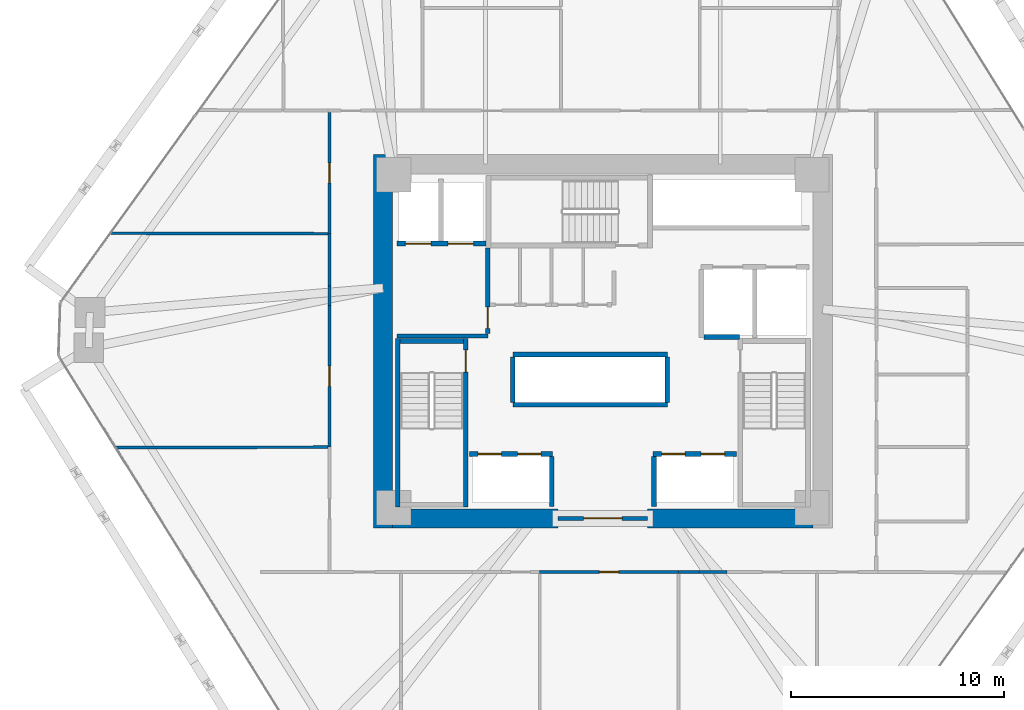
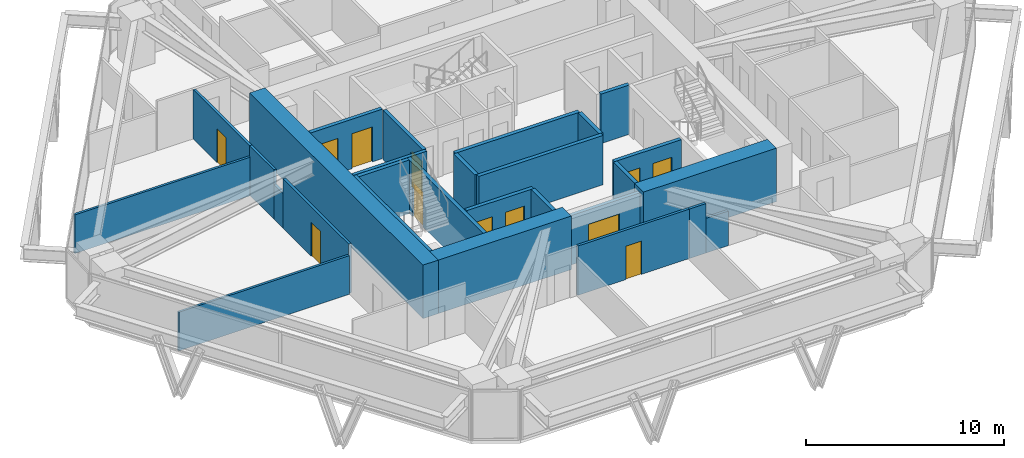
# One storey, part 11 of 15: 28 walls, 12 doors, 12 openings.
"""IFC4 building model written with IfcOpenShell, lengths in metres."""

from ifc_helpers import new_model, si_unit, direction, frame, frame_2d, origin, place, context, subcontext, project, spatial, rectangle, extrude, source, transform, mapped, material, layer, layer_set, type_object, type_shapes, element, fill, save


model = new_model("IFC4")

# Units and contexts
model_context = context("Model", 3, precision=1e-05, world=origin(), true_north=direction((0.0, 1.0)))
body_context = subcontext(model_context, "Body", "Model", "MODEL_VIEW")
ifc_project = project(units=[si_unit("LENGTHUNIT", "METRE"), si_unit("AREAUNIT", "SQUARE_METRE"), si_unit("VOLUMEUNIT", "CUBIC_METRE"), si_unit("PLANEANGLEUNIT", "RADIAN"), si_unit("MASSUNIT", "GRAM", prefix="KILO")], contexts=[model_context])

# Site, building, storey
site_placement = place(None, origin())
site = spatial("IfcSite", under=ifc_project, at=site_placement, CompositionType="ELEMENT")
building_placement = place(site_placement, origin())
building = spatial("IfcBuilding", under=site, at=building_placement, Name="Durnholm Broadcast Tower", CompositionType="ELEMENT")
storey_placement = place(building_placement, frame((0.0, 0.0, 42.300048828125)))
storey = spatial("IfcBuildingStorey", under=building, at=storey_placement, Name="L09", CompositionType="ELEMENT", Elevation=42.300048828125)

# Walls
ifc_material_1 = material(Name="Concrete C70/85", Category="concrete")
ifc_layer_1 = layer(ifc_material_1, 0.89990234375)
ifc_layer_set_1 = layer_set([ifc_layer_1], Name="Concrete C70/85")
wall_type_1 = type_object("IfcWallType", Name="WALL-CW-900", PredefinedType="SHEAR", material=ifc_layer_set_1)
wall_1_placement = place(storey_placement, frame((-10.300048828125, -8.75, 0.0), z_axis=(0.0, 0.0, 1.0), x_axis=(0.0, 1.0, 0.0)))
element("IfcWall", 1, at=wall_1_placement, inside=storey, type_object=wall_type_1, Name="L09 central core shear wall CW-WEST", PredefinedType="SHEAR", context=body_context, shape_type="SweptSolid", body=[
    extrude(rectangle(XDim=17.5, YDim=0.89990234375, at=frame_2d((8.75, 0.0))), origin(), (0.0, 0.0, 1.0), 3.300048828125),
])
for number, where, z_axis, x_axis, name in (
    (2, (-9.85009765625, -8.300048828125, 0.0), (0.0, 0.0, 1.0), (1.0, 0.0, 0.0), "L09 central core shear wall CW-S1"),
    (3, (2.10009765625, -8.300048828125, 0.0), (0.0, 0.0, 1.0), (1.0, 0.0, 0.0), "L09 central core shear wall CW-S2"),
):
    element("IfcWall", number, at=place(storey_placement, frame(where, z_axis=z_axis, x_axis=x_axis)), inside=storey, type_object=wall_type_1, Name=name, PredefinedType="SHEAR", context=body_context, shape_type="SweptSolid", body=[
        extrude(rectangle(XDim=7.75, YDim=0.89990234375, at=frame_2d((3.875, 0.0))), origin(), (0.0, 0.0, 1.0), 3.300048828125),
    ])

# Wall, opening, door
ifc_material_2 = material(Name="Fire-Rated Gypsum Shaftwall", Category="concrete")
ifc_layer_2 = layer(ifc_material_2, 0.199951171875)
ifc_layer_set_2 = layer_set([ifc_layer_2], Name="Fire-Rated Gypsum Shaftwall")
wall_type_2 = type_object("IfcWallType", Name="WALL-LOB-200", PredefinedType="SOLIDWALL", material=ifc_layer_set_2)
wall_2_placement = place(storey_placement, frame((-2.10009765625, -8.300048828125, 0.0), z_axis=(0.0, 0.0, 1.0), x_axis=(1.0, 0.0, 0.0)))
wall_2 = element("IfcWall", 4, at=wall_2_placement, inside=storey, type_object=wall_type_2, Name="L09 south core lobby fire screen", PredefinedType="SOLIDWALL", context=body_context, shape_type="SweptSolid", body=[
    extrude(rectangle(XDim=4.2001953125, YDim=0.199951171875, at=frame_2d((2.10009765625, 0.0))), origin(), (0.0, 0.0, 1.0), 3.044921875),
])
opening_1_placement = place(wall_2_placement, frame((1.199951171875, 0.0, 0.0)))
opening_1 = element("IfcOpeningElement", 5, at=opening_1_placement, cuts=wall_2, Name="Opening DP-60", PredefinedType="OPENING", context=body_context, shape_type="SweptSolid", body=[
    extrude(rectangle(XDim=1.800048828125, YDim=2.14990234375, at=frame_2d((0.89990234375, 1.074951171875))), frame((0.0, 0.10986328125, 0.0), z_axis=(0.0, -1.0, 0.0), x_axis=(1.0, 0.0, 0.0)), (0.0, 0.0, 1.0), 0.219970703125),
])
ifc_material_3 = material(Name="Fire-Rated Double Corridor Door", Category="steel")
ifc_layer_3 = layer(ifc_material_3, 0.050048828125)
ifc_layer_set_3 = layer_set([ifc_layer_3], Name="Fire-Rated Double Corridor Door")
door_type_1 = type_object("IfcDoorType", Name="DOOR-PAIR-FD60", OperationType="DOUBLE_DOOR_SINGLE_SWING", PredefinedType="DOOR", material=ifc_layer_set_3)
shared_shape_1 = source(origin(), body_context, "Body", "SweptSolid", [
    extrude(rectangle(XDim=1.800048828125, YDim=2.14990234375, at=frame_2d((0.89990234375, 1.074951171875))), frame((0.0, 0.02490234375, 0.0), z_axis=(0.0, -1.0, 0.0), x_axis=(1.0, 0.0, 0.0)), (0.0, 0.0, 1.0), 0.050048828125),
])
type_shapes(door_type_1, [shared_shape_1])
door_1_placement = place(opening_1_placement, origin())
door_1 = element("IfcDoor", 6, at=door_1_placement, inside=storey, type_object=door_type_1, Name="L09 south core lobby double fire door", OperationType="DOUBLE_DOOR_SINGLE_SWING", OverallHeight=2.14990234375, OverallWidth=1.800048828125, PredefinedType="DOOR", context=body_context, shape_type="MappedRepresentation", body=[
    mapped(shared_shape_1, transform((0.0, 0.0, 0.0), x_axis=(1.0, 0.0, 0.0), y_axis=(0.0, 1.0, 0.0), z_axis=(0.0, 0.0, 1.0), scale=1.0)),
])
fill(opening_1, door_1)

# Wall
wall_3_placement = place(storey_placement, frame((-9.64990234375, 0.25, 0.0), z_axis=(0.0, 0.0, 1.0), x_axis=(1.0, 0.0, 0.0)))
element("IfcWall", 7, at=wall_3_placement, inside=storey, type_object=wall_type_2, Name="L09 Fire Service Access Elevator lobby south wall", PredefinedType="SOLIDWALL", context=body_context, shape_type="SweptSolid", body=[
    extrude(rectangle(XDim=4.27001953125, YDim=0.199951171875, at=frame_2d((2.135009765625, 0.0))), origin(), (0.0, 0.0, 1.0), 3.044921875),
])

# Wall, opening, door
wall_4_placement = place(storey_placement, frame((-5.39990234375, 0.35400390625, 0.0), z_axis=(0.0, 0.0, 1.0), x_axis=(0.0, 1.0, 0.0)))
wall_4 = element("IfcWall", 8, at=wall_4_placement, inside=storey, type_object=wall_type_2, Name="L09 Fire Service Access Elevator lobby east fire wall", PredefinedType="SOLIDWALL", context=body_context, shape_type="SweptSolid", body=[
    extrude(rectangle(XDim=4.02587890625, YDim=0.199951171875, at=frame_2d((2.012939453125, 0.0))), origin(), (0.0, 0.0, 1.0), 3.044921875),
])
opening_2_placement = place(wall_4_placement, frame((0.24609375, 0.0, 0.0)))
opening_2 = element("IfcOpeningElement", 9, at=opening_2_placement, cuts=wall_4, Name="Opening DL-60R", PredefinedType="OPENING", context=body_context, shape_type="SweptSolid", body=[
    extrude(rectangle(XDim=1.0, YDim=2.14990234375, at=frame_2d((0.5, 1.074951171875))), frame((0.0, 0.10986328125, 0.0), z_axis=(0.0, -1.0, 0.0), x_axis=(1.0, 0.0, 0.0)), (0.0, 0.0, 1.0), 0.219970703125),
])
ifc_material_4 = material(Name="Fire-Rated Timber/Steel Door", Category="steel")
ifc_layer_4 = layer(ifc_material_4, 0.050048828125)
ifc_layer_set_4 = layer_set([ifc_layer_4], Name="Fire-Rated Timber/Steel Door")
door_type_2 = type_object("IfcDoorType", Name="DOOR-LOB-FD60-R", OperationType="NOTDEFINED", PredefinedType="DOOR", material=ifc_layer_set_4)
shared_shape_2 = source(origin(), body_context, "Body", "SweptSolid", [
    extrude(rectangle(XDim=1.0, YDim=2.14990234375, at=frame_2d((0.5, 1.074951171875))), frame((0.0, 0.02490234375, 0.0), z_axis=(0.0, -1.0, 0.0), x_axis=(1.0, 0.0, 0.0)), (0.0, 0.0, 1.0), 0.050048828125),
])
type_shapes(door_type_2, [shared_shape_2])
door_2_placement = place(opening_2_placement, origin())
door_2 = element("IfcDoor", 10, at=door_2_placement, inside=storey, type_object=door_type_2, Name="L09 Fire Service Access Elevator lobby smoke door", OperationType="SINGLE_SWING_RIGHT", OverallHeight=2.14990234375, OverallWidth=1.0, PredefinedType="DOOR", context=body_context, shape_type="MappedRepresentation", body=[
    mapped(shared_shape_2, transform((0.0, 0.0, 0.0), x_axis=(1.0, 0.0, 0.0), y_axis=(0.0, 1.0, 0.0), z_axis=(0.0, 0.0, 1.0), scale=1.0)),
])
fill(opening_2, door_2)

# Walls
ifc_material_5 = material(Name="Gypsum Metal Stud Partition", Category="concrete")
ifc_layer_5 = layer(ifc_material_5, 0.135009765625)
ifc_layer_set_5 = layer_set([ifc_layer_5], Name="Gypsum Metal Stud Partition")
wall_type_3 = type_object("IfcWallType", Name="WALL-PART-135", PredefinedType="PARTITIONING", material=ifc_layer_set_5)
wall_5_placement = place(storey_placement, frame((-22.824951171875, -4.981201171875, 0.0), z_axis=(0.0, 0.0, 1.0), x_axis=(0.999997767357, 0.002113121234, 0.0)))
element("IfcWall", 11, at=wall_5_placement, inside=storey, type_object=wall_type_3, Name="L09 room dividing partition 21.22", PredefinedType="PARTITIONING", context=body_context, shape_type="SweptSolid", body=[
    extrude(rectangle(XDim=9.93603515625, YDim=0.135009765625, at=frame_2d((4.968017578125, 0.0))), origin(), (0.0, 0.0, 1.0), 2.3798828125),
])
wall_6_placement = place(storey_placement, frame((-23.081787109375, 5.0634765625, 0.0), z_axis=(0.0, 0.0, 1.0), x_axis=(0.999997411176, -0.002275443211, 0.0)))
element("IfcWall", 12, at=wall_6_placement, inside=storey, type_object=wall_type_3, Name="L09 room dividing partition 22.23", PredefinedType="PARTITIONING", context=body_context, shape_type="SweptSolid", body=[
    extrude(rectangle(XDim=10.19287109375, YDim=0.135009765625, at=frame_2d((5.096435546875, 0.0))), origin(), (0.0, 0.0, 1.0), 2.3798828125),
])

# Wall, opening, door
ifc_material_6 = material(Name="Acoustic Gypsum Stud Partition", Category="concrete")
ifc_layer_6 = layer(ifc_material_6, 0.14990234375)
ifc_layer_set_6 = layer_set([ifc_layer_6], Name="Acoustic Gypsum Stud Partition")
wall_type_4 = type_object("IfcWallType", Name="WALL-PART-150", PredefinedType="PARTITIONING", material=ifc_layer_set_6)
wall_7_placement = place(storey_placement, frame((-2.9599609375, -10.81005859375, 0.0), z_axis=(0.0, 0.0, 1.0), x_axis=(1.0, 0.0, 0.0)))
wall_7 = element("IfcWall", 13, at=wall_7_placement, inside=storey, type_object=wall_type_4, Name="L09 Tape Store corridor partition", PredefinedType="PARTITIONING", context=body_context, shape_type="SweptSolid", body=[
    extrude(rectangle(XDim=6.5, YDim=0.14990234375, at=frame_2d((3.25, 0.0))), origin(), (0.0, 0.0, 1.0), 3.044921875),
])
opening_3_placement = place(wall_7_placement, frame((2.800048828125, 0.0, 0.0)))
opening_3 = element("IfcOpeningElement", 14, at=opening_3_placement, cuts=wall_7, Name="Opening DC-60L", PredefinedType="OPENING", context=body_context, shape_type="SweptSolid", body=[
    extrude(rectangle(XDim=0.89990234375, YDim=2.050048828125, at=frame_2d((0.449951171875, 1.02490234375))), frame((0.0, 0.0849609375, 0.0), z_axis=(0.0, -1.0, 0.0), x_axis=(1.0, 0.0, 0.0)), (0.0, 0.0, 1.0), 0.169921875),
])
ifc_material_7 = material(Name="Fire-Rated Core Service Door", Category="steel")
ifc_layer_7 = layer(ifc_material_7, 0.050048828125)
ifc_layer_set_7 = layer_set([ifc_layer_7], Name="Fire-Rated Core Service Door")
door_type_3 = type_object("IfcDoorType", Name="DOOR-CORE-FD60-L", OperationType="NOTDEFINED", PredefinedType="DOOR", material=ifc_layer_set_7)
shared_shape_3 = source(origin(), body_context, "Body", "SweptSolid", [
    extrude(rectangle(XDim=0.89990234375, YDim=2.050048828125, at=frame_2d((0.449951171875, 1.02490234375))), frame((0.0, 0.02490234375, 0.0), z_axis=(0.0, -1.0, 0.0), x_axis=(1.0, 0.0, 0.0)), (0.0, 0.0, 1.0), 0.050048828125),
])
type_shapes(door_type_3, [shared_shape_3])
door_3_placement = place(opening_3_placement, origin())
door_3 = element("IfcDoor", 15, at=door_3_placement, inside=storey, type_object=door_type_3, Name="L09 Tape Store entrance door", OperationType="SINGLE_SWING_LEFT", OverallHeight=2.050048828125, OverallWidth=0.89990234375, PredefinedType="DOOR", context=body_context, shape_type="MappedRepresentation", body=[
    mapped(shared_shape_3, transform((0.0, 0.0, 0.0), x_axis=(1.0, 0.0, 0.0), y_axis=(0.0, 1.0, 0.0), z_axis=(0.0, 0.0, 1.0), scale=1.0)),
])
fill(opening_3, door_3)

# Walls
wall_8_placement = place(storey_placement, frame((3.5400390625, -10.81005859375, 0.0), z_axis=(0.0, 0.0, 1.0), x_axis=(1.0, 0.0, 0.0)))
element("IfcWall", 16, at=wall_8_placement, inside=storey, type_object=wall_type_4, Name="L09 Video Edit Office 1 corridor partition", PredefinedType="PARTITIONING", context=body_context, shape_type="SweptSolid", body=[
    extrude(rectangle(XDim=0.959228515625, YDim=0.14990234375, at=frame_2d((0.4794921875, 0.0))), origin(), (0.0, 0.0, 1.0), 3.044921875),
])
wall_9_placement = place(storey_placement, frame((4.499267578125, -10.81005859375, 0.0), z_axis=(0.0, 0.0, 1.0), x_axis=(1.0, 0.0, 0.0)))
element("IfcWall", 17, at=wall_9_placement, inside=storey, type_object=wall_type_4, Name="L09 Video Edit Office 1 corridor partition", PredefinedType="PARTITIONING", context=body_context, shape_type="SweptSolid", body=[
    extrude(rectangle(XDim=1.318115234375, YDim=0.14990234375, at=frame_2d((0.6591796875, 0.0))), origin(), (0.0, 0.0, 1.0), 2.130126953125),
])
wall_10_placement = place(storey_placement, frame((-12.81005859375, 5.0400390625, 0.0), z_axis=(0.0, 0.0, 1.0), x_axis=(0.0, -1.0, 0.0)))
element("IfcWall", 18, at=wall_10_placement, inside=storey, type_object=wall_type_4, Name="L09 Audio Mix Office corridor partition", PredefinedType="PARTITIONING", context=body_context, shape_type="SweptSolid", body=[
    extrude(rectangle(XDim=2.44775390625, YDim=0.14990234375, at=frame_2d((1.223876953125, 0.0))), origin(), (0.0, 0.0, 1.0), 3.044921875),
])

# Wall, opening, door
wall_11_placement = place(storey_placement, frame((-12.81005859375, 1.682373046875, 0.0), z_axis=(0.0, 0.0, 1.0), x_axis=(0.0, -1.0, 0.0)))
wall_11 = element("IfcWall", 19, at=wall_11_placement, inside=storey, type_object=wall_type_4, Name="L09 Audio Mix Office corridor partition", PredefinedType="PARTITIONING", context=body_context, shape_type="SweptSolid", body=[
    extrude(rectangle(XDim=6.642333984375, YDim=0.14990234375, at=frame_2d((3.3212890625, 0.0))), origin(), (0.0, 0.0, 1.0), 3.044921875),
])
opening_4_placement = place(wall_11_placement, frame((2.84619140625, 0.0, 0.0)))
opening_4 = element("IfcOpeningElement", 20, at=opening_4_placement, cuts=wall_11, Name="Opening DR-95R", PredefinedType="OPENING", context=body_context, shape_type="SweptSolid", body=[
    extrude(rectangle(XDim=0.949951171875, YDim=2.10009765625, at=frame_2d((0.47509765625, 1.050048828125))), frame((0.0, 0.0849609375, 0.0), z_axis=(0.0, -1.0, 0.0), x_axis=(1.0, 0.0, 0.0)), (0.0, 0.0, 1.0), 0.169921875),
])
ifc_material_8 = material(Name="Acoustic Oak Veneer Timber Door", Category="wood")
ifc_layer_8 = layer(ifc_material_8, 0.050048828125)
ifc_layer_set_8 = layer_set([ifc_layer_8], Name="Acoustic Oak Veneer Timber Door")
door_type_4 = type_object("IfcDoorType", Name="DOOR-RM-950R", OperationType="NOTDEFINED", PredefinedType="DOOR", material=ifc_layer_set_8)
shared_shape_4 = source(origin(), body_context, "Body", "SweptSolid", [
    extrude(rectangle(XDim=0.949951171875, YDim=2.10009765625, at=frame_2d((0.47509765625, 1.050048828125))), frame((0.0, 0.02490234375, 0.0), z_axis=(0.0, -1.0, 0.0), x_axis=(1.0, 0.0, 0.0)), (0.0, 0.0, 1.0), 0.050048828125),
])
type_shapes(door_type_4, [shared_shape_4])
door_4_placement = place(opening_4_placement, origin())
door_4 = element("IfcDoor", 21, at=door_4_placement, inside=storey, type_object=door_type_4, Name="L09 Audio Mix Office entrance door", OperationType="SINGLE_SWING_RIGHT", OverallHeight=2.10009765625, OverallWidth=0.949951171875, PredefinedType="DOOR", context=body_context, shape_type="MappedRepresentation", body=[
    mapped(shared_shape_4, transform((0.0, 0.0, 0.0), x_axis=(1.0, 0.0, 0.0), y_axis=(0.0, 1.0, 0.0), z_axis=(0.0, 0.0, 1.0), scale=1.0)),
])
fill(opening_4, door_4)

# Wall
wall_12_placement = place(storey_placement, frame((-12.81005859375, 2.59228515625, 0.0), z_axis=(0.0, 0.0, 1.0), x_axis=(0.0, -1.0, 0.0)))
element("IfcWall", 22, at=wall_12_placement, inside=storey, type_object=wall_type_4, Name="L09 Audio Mix Office corridor partition", PredefinedType="PARTITIONING", context=body_context, shape_type="SweptSolid", body=[
    extrude(rectangle(XDim=0.909912109375, YDim=0.14990234375, at=frame_2d((0.455078125, 0.0))), origin(), (0.0, 0.0, 1.0), 2.130126953125),
])

# Wall, opening, door
wall_13_placement = place(storey_placement, frame((-12.81005859375, 10.73095703125, 0.0), z_axis=(0.0, 0.0, 1.0), x_axis=(0.0, -1.0, 0.0)))
wall_13 = element("IfcWall", 23, at=wall_13_placement, inside=storey, type_object=wall_type_4, Name="L09 Senior Editor Office corridor partition", PredefinedType="PARTITIONING", context=body_context, shape_type="SweptSolid", body=[
    extrude(rectangle(XDim=5.69091796875, YDim=0.14990234375, at=frame_2d((2.845458984375, 0.0))), origin(), (0.0, 0.0, 1.0), 3.044921875),
])
opening_5_placement = place(wall_13_placement, frame((2.385498046875, 0.0, 0.0)))
opening_5 = element("IfcOpeningElement", 24, at=opening_5_placement, cuts=wall_13, Name="Opening DR-92L", PredefinedType="OPENING", context=body_context, shape_type="SweptSolid", body=[
    extrude(rectangle(XDim=0.919921875, YDim=2.10009765625, at=frame_2d((0.4599609375, 1.050048828125))), frame((0.0, 0.0849609375, 0.0), z_axis=(0.0, -1.0, 0.0), x_axis=(1.0, 0.0, 0.0)), (0.0, 0.0, 1.0), 0.169921875),
])
ifc_material_9 = material(Name="Oak Veneer Office Door", Category="wood")
ifc_layer_9 = layer(ifc_material_9, 0.050048828125)
ifc_layer_set_9 = layer_set([ifc_layer_9], Name="Oak Veneer Office Door")
door_type_5 = type_object("IfcDoorType", Name="DOOR-RM-920L", OperationType="NOTDEFINED", PredefinedType="DOOR", material=ifc_layer_set_9)
shared_shape_5 = source(origin(), body_context, "Body", "SweptSolid", [
    extrude(rectangle(XDim=0.919921875, YDim=2.10009765625, at=frame_2d((0.4599609375, 1.050048828125))), frame((0.0, 0.02490234375, 0.0), z_axis=(0.0, -1.0, 0.0), x_axis=(1.0, 0.0, 0.0)), (0.0, 0.0, 1.0), 0.050048828125),
])
type_shapes(door_type_5, [shared_shape_5])
door_5_placement = place(opening_5_placement, origin())
door_5 = element("IfcDoor", 25, at=door_5_placement, inside=storey, type_object=door_type_5, Name="L09 Senior Editor Office entrance door", OperationType="SINGLE_SWING_LEFT", OverallHeight=2.10009765625, OverallWidth=0.919921875, PredefinedType="DOOR", context=body_context, shape_type="MappedRepresentation", body=[
    mapped(shared_shape_5, transform((0.0, 0.0, 0.0), x_axis=(1.0, 0.0, 0.0), y_axis=(0.0, 1.0, 0.0), z_axis=(0.0, 0.0, 1.0), scale=1.0)),
])
fill(opening_5, door_5)

# Wall, openings, doors
ifc_material_10 = material(Name="Concrete Blockwork C30/37", Category="masonry")
ifc_layer_10 = layer(ifc_material_10, 0.219970703125)
ifc_layer_set_10 = layer_set([ifc_layer_10], Name="Concrete Blockwork C30/37")
wall_type_5 = type_object("IfcWallType", Name="WALL-SHAFT-220", PredefinedType="SOLIDWALL", material=ifc_layer_set_10)
wall_14_placement = place(storey_placement, frame((-9.64990234375, 4.580078125, 0.0), z_axis=(0.0, 0.0, 1.0), x_axis=(1.0, 0.0, 0.0)))
wall_14 = element("IfcWall", 26, at=wall_14_placement, inside=storey, type_object=wall_type_5, Name="L09 FSAE hoistway front fire wall", PredefinedType="SOLIDWALL", context=body_context, shape_type="SweptSolid", body=[
    extrude(rectangle(XDim=4.1748046875, YDim=0.219970703125, at=frame_2d((2.08740234375, 0.0))), origin(), (0.0, 0.0, 1.0), 3.044921875),
])
opening_6_placement = place(wall_14_placement, frame((0.39990234375, 0.0, 0.0)))
opening_6 = element("IfcOpeningElement", 27, at=opening_6_placement, cuts=wall_14, Name="Opening LD-FSAE-2", PredefinedType="OPENING", context=body_context, shape_type="SweptSolid", body=[
    extrude(rectangle(XDim=1.199951171875, YDim=2.14990234375, at=frame_2d((0.60009765625, 1.074951171875))), frame((0.0, 0.1201171875, 0.0), z_axis=(0.0, -1.0, 0.0), x_axis=(1.0, 0.0, 0.0)), (0.0, 0.0, 1.0), 0.239990234375),
])
opening_7_placement = place(wall_14_placement, frame((2.39990234375, 0.0, 0.0)))
opening_7 = element("IfcOpeningElement", 28, at=opening_7_placement, cuts=wall_14, Name="Opening LD-FSAE-1", PredefinedType="OPENING", context=body_context, shape_type="SweptSolid", body=[
    extrude(rectangle(XDim=1.199951171875, YDim=2.14990234375, at=frame_2d((0.60009765625, 1.074951171875))), frame((0.0, 0.1201171875, 0.0), z_axis=(0.0, -1.0, 0.0), x_axis=(1.0, 0.0, 0.0)), (0.0, 0.0, 1.0), 0.239990234375),
])
ifc_material_11 = material(Name="Fire Service Access Sliding Landing Door", Category="steel")
ifc_layer_11 = layer(ifc_material_11, 0.050048828125)
ifc_layer_set_11 = layer_set([ifc_layer_11], Name="Fire Service Access Sliding Landing Door")
door_type_6 = type_object("IfcDoorType", Name="DOOR-LIFT-FSAE", OperationType="DOUBLE_DOOR_SLIDING", PredefinedType="DOOR", material=ifc_layer_set_11)
shared_shape_6 = source(origin(), body_context, "Body", "SweptSolid", [
    extrude(rectangle(XDim=1.199951171875, YDim=2.14990234375, at=frame_2d((0.60009765625, 1.074951171875))), frame((0.0, 0.02490234375, 0.0), z_axis=(0.0, -1.0, 0.0), x_axis=(1.0, 0.0, 0.0)), (0.0, 0.0, 1.0), 0.050048828125),
])
type_shapes(door_type_6, [shared_shape_6])
door_6_placement = place(opening_6_placement, origin())
door_6 = element("IfcDoor", 29, at=door_6_placement, inside=storey, type_object=door_type_6, Name="L09 Fire Service Access Elevator FSAE-2 sliding landing door", OperationType="DOUBLE_DOOR_SLIDING", OverallHeight=2.14990234375, OverallWidth=1.199951171875, PredefinedType="DOOR", context=body_context, shape_type="MappedRepresentation", body=[
    mapped(shared_shape_6, transform((0.0, 0.0, 0.0), x_axis=(1.0, 0.0, 0.0), y_axis=(0.0, 1.0, 0.0), z_axis=(0.0, 0.0, 1.0), scale=1.0)),
])
fill(opening_6, door_6)
door_7_placement = place(opening_7_placement, origin())
door_7 = element("IfcDoor", 30, at=door_7_placement, inside=storey, type_object=door_type_6, Name="L09 Fire Service Access Elevator FSAE-1 sliding landing door", OperationType="DOUBLE_DOOR_SLIDING", OverallHeight=2.14990234375, OverallWidth=1.199951171875, PredefinedType="DOOR", context=body_context, shape_type="MappedRepresentation", body=[
    mapped(shared_shape_6, transform((0.0, 0.0, 0.0), x_axis=(1.0, 0.0, 0.0), y_axis=(0.0, 1.0, 0.0), z_axis=(0.0, 0.0, 1.0), scale=1.0)),
])
fill(opening_7, door_7)

# Wall
wall_15_placement = place(storey_placement, frame((4.73388671875, 0.199951171875, 0.0), z_axis=(0.0, 0.0, 1.0), x_axis=(1.0, 0.0, 0.0)))
element("IfcWall", 31, at=wall_15_placement, inside=storey, type_object=wall_type_5, Name="L09 freight service lift SVL-2 south wall", PredefinedType="SOLIDWALL", context=body_context, shape_type="SweptSolid", body=[
    extrude(rectangle(XDim=1.666015625, YDim=0.219970703125, at=frame_2d((0.8330078125, 0.0))), origin(), (0.0, 0.0, 1.0), 3.044921875),
])

# Wall, openings, doors
wall_16_placement = place(storey_placement, frame((-6.25, -5.280029296875, 0.0), z_axis=(0.0, 0.0, 1.0), x_axis=(1.0, 0.0, 0.0)))
wall_16 = element("IfcWall", 32, at=wall_16_placement, inside=storey, type_object=wall_type_5, Name="L09 low-rise bank P1 west front wall", PredefinedType="SOLIDWALL", context=body_context, shape_type="SweptSolid", body=[
    extrude(rectangle(XDim=3.89990234375, YDim=0.219970703125, at=frame_2d((1.949951171875, 0.0))), origin(), (0.0, 0.0, 1.0), 3.044921875),
])
opening_8_placement = place(wall_16_placement, frame((0.39990234375, 0.0, 0.0)))
opening_8 = element("IfcOpeningElement", 33, at=opening_8_placement, cuts=wall_16, Name="Opening LD-LP1-1", PredefinedType="OPENING", context=body_context, shape_type="SweptSolid", body=[
    extrude(rectangle(XDim=1.10009765625, YDim=2.14990234375, at=frame_2d((0.550048828125, 1.074951171875))), frame((0.0, 0.1201171875, 0.0), z_axis=(0.0, -1.0, 0.0), x_axis=(1.0, 0.0, 0.0)), (0.0, 0.0, 1.0), 0.239990234375),
])
opening_9_placement = place(wall_16_placement, frame((2.25, 0.0, 0.0)))
opening_9 = element("IfcOpeningElement", 34, at=opening_9_placement, cuts=wall_16, Name="Opening LD-LP1-2", PredefinedType="OPENING", context=body_context, shape_type="SweptSolid", body=[
    extrude(rectangle(XDim=1.10009765625, YDim=2.14990234375, at=frame_2d((0.550048828125, 1.074951171875))), frame((0.0, 0.1201171875, 0.0), z_axis=(0.0, -1.0, 0.0), x_axis=(1.0, 0.0, 0.0)), (0.0, 0.0, 1.0), 0.239990234375),
])
ifc_material_12 = material(Name="Stainless Steel Sliding Elevator Landing Door", Category="steel")
ifc_layer_12 = layer(ifc_material_12, 0.050048828125)
ifc_layer_set_12 = layer_set([ifc_layer_12], Name="Stainless Steel Sliding Elevator Landing Door")
door_type_7 = type_object("IfcDoorType", Name="DOOR-LIFT-PAX", OperationType="DOUBLE_DOOR_SLIDING", PredefinedType="DOOR", material=ifc_layer_set_12)
shared_shape_7 = source(origin(), body_context, "Body", "SweptSolid", [
    extrude(rectangle(XDim=1.10009765625, YDim=2.14990234375, at=frame_2d((0.550048828125, 1.074951171875))), frame((0.0, 0.02490234375, 0.0), z_axis=(0.0, -1.0, 0.0), x_axis=(1.0, 0.0, 0.0)), (0.0, 0.0, 1.0), 0.050048828125),
])
type_shapes(door_type_7, [shared_shape_7])
door_8_placement = place(opening_8_placement, origin())
door_8 = element("IfcDoor", 35, at=door_8_placement, inside=storey, type_object=door_type_7, Name="L09 passenger elevator LP1-1 sliding landing door", OperationType="DOUBLE_DOOR_SLIDING", OverallHeight=2.14990234375, OverallWidth=1.10009765625, PredefinedType="DOOR", context=body_context, shape_type="MappedRepresentation", body=[
    mapped(shared_shape_7, transform((0.0, 0.0, 0.0), x_axis=(1.0, 0.0, 0.0), y_axis=(0.0, 1.0, 0.0), z_axis=(0.0, 0.0, 1.0), scale=1.0)),
])
fill(opening_8, door_8)
door_9_placement = place(opening_9_placement, origin())
door_9 = element("IfcDoor", 36, at=door_9_placement, inside=storey, type_object=door_type_7, Name="L09 passenger elevator LP1-2 sliding landing door", OperationType="DOUBLE_DOOR_SLIDING", OverallHeight=2.14990234375, OverallWidth=1.10009765625, PredefinedType="DOOR", context=body_context, shape_type="MappedRepresentation", body=[
    mapped(shared_shape_7, transform((0.0, 0.0, 0.0), x_axis=(1.0, 0.0, 0.0), y_axis=(0.0, 1.0, 0.0), z_axis=(0.0, 0.0, 1.0), scale=1.0)),
])
fill(opening_9, door_9)

wall_17_placement = place(storey_placement, frame((2.35009765625, -5.280029296875, 0.0), z_axis=(0.0, 0.0, 1.0), x_axis=(1.0, 0.0, 0.0)))
wall_17 = element("IfcWall", 37, at=wall_17_placement, inside=storey, type_object=wall_type_5, Name="L09 low-rise bank P1 east front wall", PredefinedType="SOLIDWALL", context=body_context, shape_type="SweptSolid", body=[
    extrude(rectangle(XDim=3.89990234375, YDim=0.219970703125, at=frame_2d((1.949951171875, 0.0))), origin(), (0.0, 0.0, 1.0), 3.044921875),
])
opening_10_placement = place(wall_17_placement, frame((0.39990234375, 0.0, 0.0)))
opening_10 = element("IfcOpeningElement", 38, at=opening_10_placement, cuts=wall_17, Name="Opening LD-LP1-3", PredefinedType="OPENING", context=body_context, shape_type="SweptSolid", body=[
    extrude(rectangle(XDim=1.10009765625, YDim=2.14990234375, at=frame_2d((0.550048828125, 1.074951171875))), frame((0.0, 0.1201171875, 0.0), z_axis=(0.0, -1.0, 0.0), x_axis=(1.0, 0.0, 0.0)), (0.0, 0.0, 1.0), 0.239990234375),
])
opening_11_placement = place(wall_17_placement, frame((2.25, 0.0, 0.0)))
opening_11 = element("IfcOpeningElement", 39, at=opening_11_placement, cuts=wall_17, Name="Opening LD-LP1-4", PredefinedType="OPENING", context=body_context, shape_type="SweptSolid", body=[
    extrude(rectangle(XDim=1.10009765625, YDim=2.14990234375, at=frame_2d((0.550048828125, 1.074951171875))), frame((0.0, 0.1201171875, 0.0), z_axis=(0.0, -1.0, 0.0), x_axis=(1.0, 0.0, 0.0)), (0.0, 0.0, 1.0), 0.239990234375),
])
door_10_placement = place(opening_10_placement, origin())
door_10 = element("IfcDoor", 40, at=door_10_placement, inside=storey, type_object=door_type_7, Name="L09 passenger elevator LP1-3 sliding landing door", OperationType="DOUBLE_DOOR_SLIDING", OverallHeight=2.14990234375, OverallWidth=1.10009765625, PredefinedType="DOOR", context=body_context, shape_type="MappedRepresentation", body=[
    mapped(shared_shape_7, transform((0.0, 0.0, 0.0), x_axis=(1.0, 0.0, 0.0), y_axis=(0.0, 1.0, 0.0), z_axis=(0.0, 0.0, 1.0), scale=1.0)),
])
fill(opening_10, door_10)
door_11_placement = place(opening_11_placement, origin())
door_11 = element("IfcDoor", 41, at=door_11_placement, inside=storey, type_object=door_type_7, Name="L09 passenger elevator LP1-4 sliding landing door", OperationType="DOUBLE_DOOR_SLIDING", OverallHeight=2.14990234375, OverallWidth=1.10009765625, PredefinedType="DOOR", context=body_context, shape_type="MappedRepresentation", body=[
    mapped(shared_shape_7, transform((0.0, 0.0, 0.0), x_axis=(1.0, 0.0, 0.0), y_axis=(0.0, 1.0, 0.0), z_axis=(0.0, 0.0, 1.0), scale=1.0)),
])
fill(opening_11, door_11)

# Walls
for number, where, z_axis, x_axis, name in (
    (42, (-2.39990234375, -7.75, 0.0), (0.0, 0.0, 1.0), (0.0, 1.0, 0.0), "L09 low-rise bank P1 west mouth wall"),
    (43, (2.39990234375, -7.75, 0.0), (0.0, 0.0, 1.0), (0.0, 1.0, 0.0), "L09 low-rise bank P1 east mouth wall"),
):
    element("IfcWall", number, at=place(storey_placement, frame(where, z_axis=z_axis, x_axis=x_axis)), inside=storey, type_object=wall_type_5, Name=name, PredefinedType="SOLIDWALL", context=body_context, shape_type="SweptSolid", body=[
        extrude(rectangle(XDim=2.35595703125, YDim=0.219970703125, at=frame_2d((1.177978515625, 0.0))), origin(), (0.0, 0.0, 1.0), 3.044921875),
    ])
for number, where, z_axis, x_axis, name in (
    (44, (-4.219970703125, -2.97998046875, 0.0), (0.0, 0.0, 1.0), (1.0, 0.0, 0.0), "L09 mid-rise bank P2 south front wall"),
    (45, (-4.219970703125, -0.6201171875, 0.0), (0.0, 0.0, 1.0), (1.0, 0.0, 0.0), "L09 mid-rise bank P2 north shaft wall"),
):
    element("IfcWall", number, at=place(storey_placement, frame(where, z_axis=z_axis, x_axis=x_axis)), inside=storey, type_object=wall_type_5, Name=name, PredefinedType="SOLIDWALL", context=body_context, shape_type="SweptSolid", body=[
        extrude(rectangle(XDim=7.239990234375, YDim=0.219970703125, at=frame_2d((3.6201171875, 0.0))), origin(), (0.0, 0.0, 1.0), 3.044921875),
    ])
for number, where, z_axis, x_axis, name in (
    (46, (-4.219970703125, -2.865966796875, 0.0), (0.0, 0.0, 1.0), (0.0, 1.0, 0.0), "L09 mid-rise bank P2 west shaft wall"),
    (47, (3.02001953125, -2.865966796875, 0.0), (0.0, 0.0, 1.0), (0.0, 1.0, 0.0), "L09 mid-rise bank P2 east shaft wall"),
):
    element("IfcWall", number, at=place(storey_placement, frame(where, z_axis=z_axis, x_axis=x_axis)), inside=storey, type_object=wall_type_5, Name=name, PredefinedType="SOLIDWALL", context=body_context, shape_type="SweptSolid", body=[
        extrude(rectangle(XDim=2.132080078125, YDim=0.219970703125, at=frame_2d((1.06591796875, 0.0))), origin(), (0.0, 0.0, 1.0), 3.044921875),
    ])

# Wall, opening, door
ifc_material_13 = material(Name="Concrete C50/60", Category="concrete")
ifc_layer_13 = layer(ifc_material_13, 0.219970703125)
ifc_layer_set_13 = layer_set([ifc_layer_13], Name="Concrete C50/60")
wall_type_6 = type_object("IfcWallType", Name="WALL-SW-220", PredefinedType="SHEAR", material=ifc_layer_set_13)
wall_18_placement = place(storey_placement, frame((-6.429931640625, -7.77001953125, -0.239990234375), z_axis=(0.0, 0.0, 1.0), x_axis=(0.0, 1.0, 0.0)))
wall_18 = element("IfcWall", 48, at=wall_18_placement, inside=storey, type_object=wall_type_6, Name="L09 stair ST-1 structural shaft wall E", PredefinedType="SHEAR", context=body_context, shape_type="SweptSolid", body=[
    extrude(rectangle(XDim=7.89013671875, YDim=0.219970703125, at=frame_2d((3.945068359375, 0.0))), origin(), (0.0, 0.0, 1.0), 3.300048828125),
])
opening_12_placement = place(wall_18_placement, frame((6.320068359375, 0.0, 0.0)))
opening_12 = element("IfcOpeningElement", 49, at=opening_12_placement, cuts=wall_18, Name="Opening DS-90L", PredefinedType="OPENING", context=body_context, shape_type="SweptSolid", body=[
    extrude(rectangle(XDim=1.050048828125, YDim=2.14990234375, at=frame_2d((0.52490234375, 1.074951171875))), frame((0.0, 0.1201171875, 0.0), z_axis=(0.0, -1.0, 0.0), x_axis=(1.0, 0.0, 0.0)), (0.0, 0.0, 1.0), 0.239990234375),
])
ifc_material_14 = material(Name="Fire-Rated Steel Door", Category="steel")
ifc_layer_14 = layer(ifc_material_14, 0.050048828125)
ifc_layer_set_14 = layer_set([ifc_layer_14], Name="Fire-Rated Steel Door")
door_type_8 = type_object("IfcDoorType", Name="DOOR-ST-FD90-L", OperationType="NOTDEFINED", PredefinedType="DOOR", material=ifc_layer_set_14)
shared_shape_8 = source(origin(), body_context, "Body", "SweptSolid", [
    extrude(rectangle(XDim=1.050048828125, YDim=2.14990234375, at=frame_2d((0.52490234375, 1.074951171875))), frame((0.0, 0.02490234375, 0.0), z_axis=(0.0, -1.0, 0.0), x_axis=(1.0, 0.0, 0.0)), (0.0, 0.0, 1.0), 0.050048828125),
])
type_shapes(door_type_8, [shared_shape_8])
door_12_placement = place(opening_12_placement, origin())
door_12 = element("IfcDoor", 50, at=door_12_placement, inside=storey, type_object=door_type_8, Name="L09 exit stair ST-1 fire door", OperationType="SINGLE_SWING_LEFT", OverallHeight=2.14990234375, OverallWidth=1.050048828125, PredefinedType="DOOR", context=body_context, shape_type="MappedRepresentation", body=[
    mapped(shared_shape_8, transform((0.0, 0.0, 0.0), x_axis=(1.0, 0.0, 0.0), y_axis=(0.0, 1.0, 0.0), z_axis=(0.0, 0.0, 1.0), scale=1.0)),
])
fill(opening_12, door_12)

# Walls
wall_19_placement = place(storey_placement, frame((-9.610107421875, 0.1201171875, -0.239990234375), z_axis=(0.0, 0.0, 1.0), x_axis=(0.0, -1.0, 0.0)))
element("IfcWall", 51, at=wall_19_placement, inside=storey, type_object=wall_type_6, Name="L09 stair ST-1 structural shaft wall W", PredefinedType="SHEAR", context=body_context, shape_type="SweptSolid", body=[
    extrude(rectangle(XDim=7.89013671875, YDim=0.219970703125, at=frame_2d((3.945068359375, 0.0))), origin(), (0.0, 0.0, 1.0), 3.300048828125),
])
wall_20_placement = place(storey_placement, frame((-6.5400390625, 0.010009765625, -0.239990234375), z_axis=(0.0, 0.0, 1.0), x_axis=(-1.0, 0.0, 0.0)))
element("IfcWall", 52, at=wall_20_placement, inside=storey, type_object=wall_type_6, Name="L09 stair ST-1 structural shaft wall N", PredefinedType="SHEAR", context=body_context, shape_type="SweptSolid", body=[
    extrude(rectangle(XDim=2.9599609375, YDim=0.219970703125, at=frame_2d((1.47998046875, 0.0))), origin(), (0.0, 0.0, 1.0), 3.300048828125),
])

save(model, "model.ifc")
